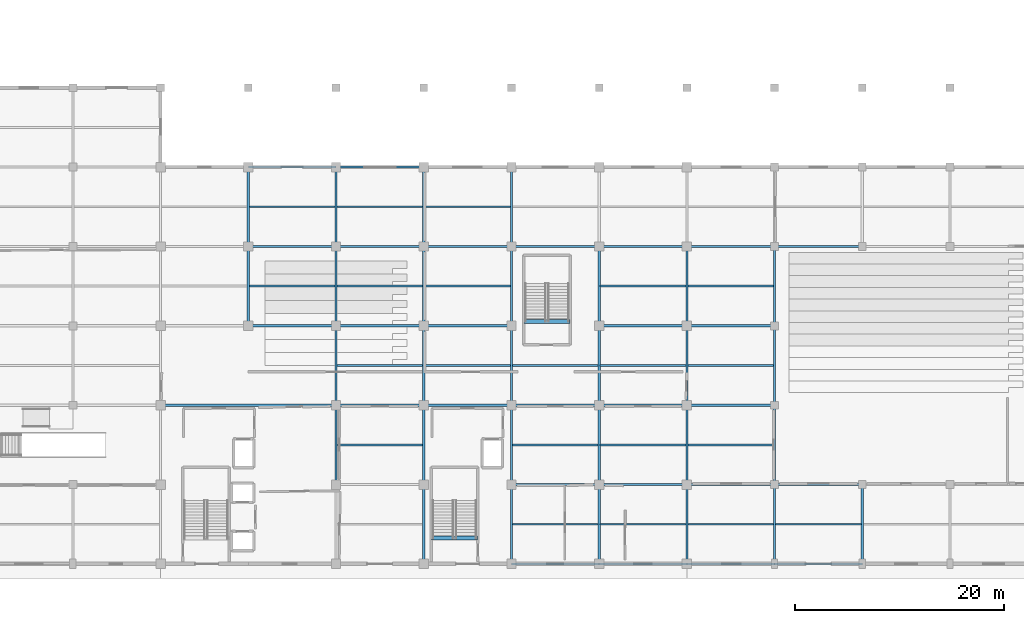
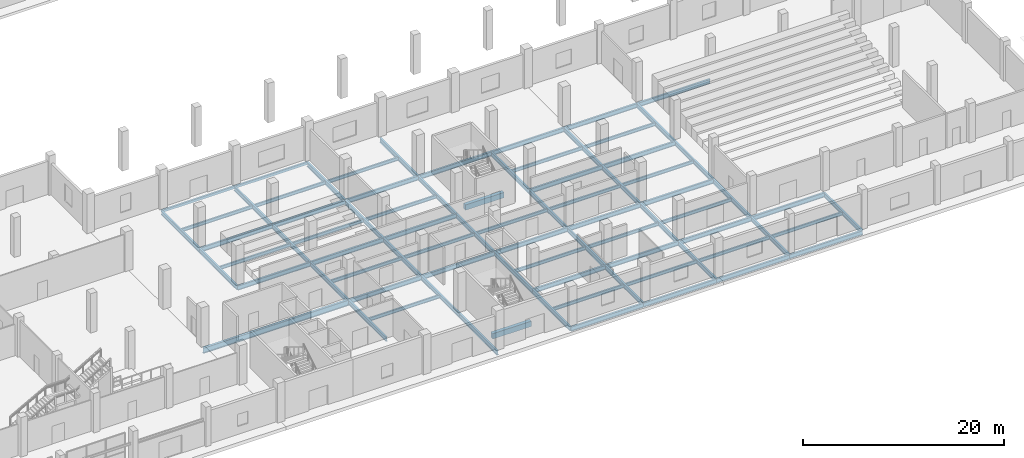
# One storey, part 7 of 36: 80 beams.
"""IFC4 building model written with IfcOpenShell, lengths in metres."""

from ifc_helpers import new_model, si_unit, direction, frame, origin, origin_2d, place, context, subcontext, project, spatial, rectangle, hollow_rectangle, i_section, extrude, material, material_profile, profile_set, type_object, element, save


model = new_model("IFC4")

# Units and contexts
model_context = context("Model", 3, precision=1e-05, world=origin(), true_north=direction((0.0, 1.0)))
body_context = subcontext(model_context, "Body", "Model", "MODEL_VIEW")
ifc_project = project(units=[si_unit("LENGTHUNIT", "METRE"), si_unit("AREAUNIT", "SQUARE_METRE"), si_unit("VOLUMEUNIT", "CUBIC_METRE"), si_unit("PLANEANGLEUNIT", "RADIAN"), si_unit("MASSUNIT", "GRAM", prefix="KILO")], contexts=[model_context])

# Site, building, storey
site_placement = place(None, origin())
site = spatial("IfcSite", under=ifc_project, at=site_placement, CompositionType="ELEMENT")
building_placement = place(site_placement, origin())
building = spatial("IfcBuilding", under=site, at=building_placement, Name="Zuvorla Pavilion Media Centre", CompositionType="ELEMENT")
storey_placement = place(building_placement, origin())
storey = spatial("IfcBuildingStorey", under=building, at=storey_placement, Name="L00", CompositionType="ELEMENT", Elevation=0.0)

# Beams
ifc_material_1 = material(Name="Concrete C40/50", Category="concrete")
ifc_material_profile_1 = material_profile(ifc_material_1, rectangle(XDim=0.39990234375, YDim=0.64990234375, at=origin_2d()), Name="RC 400x650")
ifc_profile_set_1 = profile_set([ifc_material_profile_1], Name="Concrete C40/50")
beam_type_1 = type_object("IfcBeamType", Name="BM-RC-650", PredefinedType="BEAM", material=ifc_profile_set_1)
for number, where, z_axis, x_axis, name in (
    (1, (92.72998046875, 8.469970703125, -0.323974609375), (1.0, 0.0, 0.0), (0.0, 1.0, 0.0), "L00 ST-02 landing trimmer beam"),
    (2, (101.580078125, 29.219970703125, -0.323974609375), (1.0, 0.0, 0.0), (0.0, 1.0, 0.0), "L00 ST-04 landing trimmer beam"),
):
    element("IfcBeam", number, at=place(storey_placement, frame(where, z_axis=z_axis, x_axis=x_axis)), inside=storey, type_object=beam_type_1, Name=name, PredefinedType="BEAM", context=body_context, shape_type="SweptSolid", body=[
        extrude(rectangle(XDim=0.39990234375, YDim=0.64990234375, at=origin_2d()), origin(), (0.0, 0.0, 1.0), 4.43994140625),
    ])
ifc_material_2 = material(Name="Steel S355", Category="steel")
ifc_material_profile_2 = material_profile(ifc_material_2, hollow_rectangle(XDim=0.199951171875, YDim=0.300048828125, WallThickness=0.012451171875, at=origin_2d()), Name="RHS 300x200x12.5")
ifc_profile_set_2 = profile_set([ifc_material_profile_2], Name="Steel S355")
beam_type_2 = type_object("IfcBeamType", Name="BM-SP-RHS300", PredefinedType="SPANDREL", material=ifc_profile_set_2)
beam_1_placement = place(storey_placement, frame((75.199951171875, 44.0, -0.577880859375), z_axis=(1.0, 0.0, 0.0), x_axis=(0.0, 1.0, 0.0)))
element("IfcBeam", 3, at=beam_1_placement, inside=storey, type_object=beam_type_2, Name="L00 spandrel SP01 82", PredefinedType="SPANDREL", context=body_context, shape_type="SweptSolid", body=[
    extrude(hollow_rectangle(XDim=0.199951171875, YDim=0.300048828125, WallThickness=0.012451171875, at=origin_2d()), origin(), (0.0, 0.0, 1.0), 8.400146484375),
])
beam_2_placement = place(storey_placement, frame((83.60009765625, 44.0, -0.577880859375), z_axis=(1.0, 0.0, 0.0), x_axis=(0.0, 1.0, 0.0)))
element("IfcBeam", 4, at=beam_2_placement, inside=storey, type_object=beam_type_2, Name="L00 spandrel SP01 83", PredefinedType="SPANDREL", context=body_context, shape_type="SweptSolid", body=[
    extrude(hollow_rectangle(XDim=0.199951171875, YDim=0.300048828125, WallThickness=0.012451171875, at=origin_2d()), origin(), (0.0, 0.0, 1.0), 8.39990234375),
])
ifc_material_profile_3 = material_profile(ifc_material_2, i_section(OverallWidth=0.1787109375, OverallDepth=0.409423828125, WebThickness=0.0087890625, FlangeThickness=0.014404296875, FilletRadius=0.01025390625, at=origin_2d()), Name="UB 406x178x67")
ifc_profile_set_3 = profile_set([ifc_material_profile_3], Name="Steel S355")
beam_type_3 = type_object("IfcBeamType", Name="BM-UB406", PredefinedType="JOIST", material=ifc_profile_set_3)
for number, where, z_axis, x_axis, name in (
    (5, (75.300048828125, 32.60009765625, -0.6328125), (1.0, 0.0, 0.0), (0.0, 1.0, 0.0), "L00 joist J02 370"),
    (6, (75.300048828125, 40.199951171875, -0.6328125), (1.0, 0.0, 0.0), (0.0, 1.0, 0.0), "L00 joist J02 371"),
    (7, (83.699951171875, 17.39990234375, -0.6328125), (1.0, 0.0, 0.0), (0.0, 1.0, 0.0), "L00 joist J02 375"),
    (8, (83.699951171875, 25.0, -0.6328125), (1.0, 0.0, 0.0), (0.0, 1.0, 0.0), "L00 joist J02 376"),
    (9, (83.699951171875, 32.60009765625, -0.6328125), (1.0, 0.0, 0.0), (0.0, 1.0, 0.0), "L00 joist J02 377"),
    (10, (83.699951171875, 40.199951171875, -0.6328125), (1.0, 0.0, 0.0), (0.0, 1.0, 0.0), "L00 joist J02 378"),
    (11, (92.10009765625, 25.0, -0.6328125), (1.0, 0.0, 0.0), (0.0, 1.0, 0.0), "L00 joist J02 381"),
    (12, (92.10009765625, 32.60009765625, -0.6328125), (1.0, 0.0, 0.0), (0.0, 1.0, 0.0), "L00 joist J02 382"),
    (13, (92.10009765625, 40.199951171875, -0.6328125), (1.0, 0.0, 0.0), (0.0, 1.0, 0.0), "L00 joist J02 383"),
    (14, (100.5, 9.800048828125, -0.6328125), (1.0, 0.0, 0.0), (0.0, 1.0, 0.0), "L00 joist J02 388"),
    (15, (100.5, 17.39990234375, -0.6328125), (1.0, 0.0, 0.0), (0.0, 1.0, 0.0), "L00 joist J02 389"),
    (16, (100.5, 25.0, -0.6328125), (1.0, 0.0, 0.0), (0.0, 1.0, 0.0), "L00 joist J02 390"),
):
    element("IfcBeam", number, at=place(storey_placement, frame(where, z_axis=z_axis, x_axis=x_axis)), inside=storey, type_object=beam_type_3, Name=name, PredefinedType="JOIST", context=body_context, shape_type="SweptSolid", body=[
        extrude(i_section(OverallWidth=0.1787109375, OverallDepth=0.409423828125, WebThickness=0.0087890625, FlangeThickness=0.014404296875, FilletRadius=0.01025390625, at=origin_2d()), origin(), (0.0, 0.0, 1.0), 8.199951171875),
    ])
for number, where, z_axis, x_axis, name in (
    (17, (108.89990234375, 9.800048828125, -0.6328125), (1.0, 0.0, 0.0), (0.0, 1.0, 0.0), "L00 joist J02 397"),
    (18, (108.89990234375, 17.39990234375, -0.6328125), (1.0, 0.0, 0.0), (0.0, 1.0, 0.0), "L00 joist J02 398"),
    (19, (108.89990234375, 25.0, -0.6328125), (1.0, 0.0, 0.0), (0.0, 1.0, 0.0), "L00 joist J02 399"),
    (20, (108.89990234375, 32.60009765625, -0.6328125), (1.0, 0.0, 0.0), (0.0, 1.0, 0.0), "L00 joist J02 400"),
):
    element("IfcBeam", number, at=place(storey_placement, frame(where, z_axis=z_axis, x_axis=x_axis)), inside=storey, type_object=beam_type_3, Name=name, PredefinedType="JOIST", context=body_context, shape_type="SweptSolid", body=[
        extrude(i_section(OverallWidth=0.1787109375, OverallDepth=0.409423828125, WebThickness=0.0087890625, FlangeThickness=0.014404296875, FilletRadius=0.01025390625, at=origin_2d()), origin(), (0.0, 0.0, 1.0), 8.2001953125),
    ])
for number, where, z_axis, x_axis, name in (
    (21, (117.300048828125, 9.800048828125, -0.6328125), (1.0, 0.0, 0.0), (0.0, 1.0, 0.0), "L00 joist J02 404"),
    (22, (117.300048828125, 17.39990234375, -0.6328125), (1.0, 0.0, 0.0), (0.0, 1.0, 0.0), "L00 joist J02 405"),
    (23, (117.300048828125, 25.0, -0.6328125), (1.0, 0.0, 0.0), (0.0, 1.0, 0.0), "L00 joist J02 406"),
    (24, (117.300048828125, 32.60009765625, -0.6328125), (1.0, 0.0, 0.0), (0.0, 1.0, 0.0), "L00 joist J02 407"),
    (25, (125.699951171875, 9.800048828125, -0.6328125), (1.0, 0.0, 0.0), (0.0, 1.0, 0.0), "L00 joist J02 411"),
):
    element("IfcBeam", number, at=place(storey_placement, frame(where, z_axis=z_axis, x_axis=x_axis)), inside=storey, type_object=beam_type_3, Name=name, PredefinedType="JOIST", context=body_context, shape_type="SweptSolid", body=[
        extrude(i_section(OverallWidth=0.1787109375, OverallDepth=0.409423828125, WebThickness=0.0087890625, FlangeThickness=0.014404296875, FilletRadius=0.01025390625, at=origin_2d()), origin(), (0.0, 0.0, 1.0), 8.199951171875),
    ])
ifc_material_profile_4 = material_profile(ifc_material_2, i_section(OverallWidth=0.2099609375, OverallDepth=0.53662109375, WebThickness=0.0107421875, FlangeThickness=0.017333984375, FilletRadius=0.0126953125, at=origin_2d()), Name="UB 533x210x101")
ifc_profile_set_4 = profile_set([ifc_material_profile_4], Name="Steel S355")
beam_type_4 = type_object("IfcBeamType", Name="BM-UB533", PredefinedType="BEAM", material=ifc_profile_set_4)
beam_3_placement = place(storey_placement, frame((100.39990234375, 6.0, -0.6962890625), z_axis=(1.0, 0.0, 0.0), x_axis=(0.0, 1.0, 0.0)))
element("IfcBeam", 26, at=beam_3_placement, inside=storey, type_object=beam_type_4, Name="L00 beam B08 9", PredefinedType="BEAM", context=body_context, shape_type="SweptSolid", body=[
    extrude(i_section(OverallWidth=0.2099609375, OverallDepth=0.53662109375, WebThickness=0.0107421875, FlangeThickness=0.017333984375, FilletRadius=0.0126953125, at=origin_2d()), origin(), (0.0, 0.0, 1.0), 8.400146484375),
])
beam_4_placement = place(storey_placement, frame((108.800048828125, 6.0, -0.6962890625), z_axis=(1.0, 0.0, 0.0), x_axis=(0.0, 1.0, 0.0)))
element("IfcBeam", 27, at=beam_4_placement, inside=storey, type_object=beam_type_4, Name="L00 beam B08 10", PredefinedType="BEAM", context=body_context, shape_type="SweptSolid", body=[
    extrude(i_section(OverallWidth=0.2099609375, OverallDepth=0.53662109375, WebThickness=0.0107421875, FlangeThickness=0.017333984375, FilletRadius=0.0126953125, at=origin_2d()), origin(), (0.0, 0.0, 1.0), 8.39990234375),
])
beam_5_placement = place(storey_placement, frame((117.199951171875, 6.0, -0.6962890625), z_axis=(1.0, 0.0, 0.0), x_axis=(0.0, 1.0, 0.0)))
element("IfcBeam", 28, at=beam_5_placement, inside=storey, type_object=beam_type_4, Name="L00 beam B08 11", PredefinedType="BEAM", context=body_context, shape_type="SweptSolid", body=[
    extrude(i_section(OverallWidth=0.2099609375, OverallDepth=0.53662109375, WebThickness=0.0107421875, FlangeThickness=0.017333984375, FilletRadius=0.0126953125, at=origin_2d()), origin(), (0.0, 0.0, 1.0), 8.400146484375),
])
beam_6_placement = place(storey_placement, frame((125.60009765625, 6.0, -0.6962890625), z_axis=(1.0, 0.0, 0.0), x_axis=(0.0, 1.0, 0.0)))
element("IfcBeam", 29, at=beam_6_placement, inside=storey, type_object=beam_type_4, Name="L00 beam B08 12", PredefinedType="BEAM", context=body_context, shape_type="SweptSolid", body=[
    extrude(i_section(OverallWidth=0.2099609375, OverallDepth=0.53662109375, WebThickness=0.0107421875, FlangeThickness=0.017333984375, FilletRadius=0.0126953125, at=origin_2d()), origin(), (0.0, 0.0, 1.0), 8.39990234375),
])
beam_7_placement = place(storey_placement, frame((100.39990234375, 13.60009765625, -0.6962890625), z_axis=(1.0, 0.0, 0.0), x_axis=(0.0, 1.0, 0.0)))
element("IfcBeam", 30, at=beam_7_placement, inside=storey, type_object=beam_type_4, Name="L00 beam B08 26", PredefinedType="BEAM", context=body_context, shape_type="SweptSolid", body=[
    extrude(i_section(OverallWidth=0.2099609375, OverallDepth=0.53662109375, WebThickness=0.0107421875, FlangeThickness=0.017333984375, FilletRadius=0.0126953125, at=origin_2d()), origin(), (0.0, 0.0, 1.0), 8.400146484375),
])
beam_8_placement = place(storey_placement, frame((108.800048828125, 13.60009765625, -0.6962890625), z_axis=(1.0, 0.0, 0.0), x_axis=(0.0, 1.0, 0.0)))
element("IfcBeam", 31, at=beam_8_placement, inside=storey, type_object=beam_type_4, Name="L00 beam B08 27", PredefinedType="BEAM", context=body_context, shape_type="SweptSolid", body=[
    extrude(i_section(OverallWidth=0.2099609375, OverallDepth=0.53662109375, WebThickness=0.0107421875, FlangeThickness=0.017333984375, FilletRadius=0.0126953125, at=origin_2d()), origin(), (0.0, 0.0, 1.0), 8.39990234375),
])
beam_9_placement = place(storey_placement, frame((117.199951171875, 13.60009765625, -0.6962890625), z_axis=(1.0, 0.0, 0.0), x_axis=(0.0, 1.0, 0.0)))
element("IfcBeam", 32, at=beam_9_placement, inside=storey, type_object=beam_type_4, Name="L00 beam B08 28", PredefinedType="BEAM", context=body_context, shape_type="SweptSolid", body=[
    extrude(i_section(OverallWidth=0.2099609375, OverallDepth=0.53662109375, WebThickness=0.0107421875, FlangeThickness=0.017333984375, FilletRadius=0.0126953125, at=origin_2d()), origin(), (0.0, 0.0, 1.0), 8.400146484375),
])
for number, where, z_axis, x_axis, name in (
    (33, (125.60009765625, 13.60009765625, -0.6962890625), (1.0, 0.0, 0.0), (0.0, 1.0, 0.0), "L00 beam B08 29"),
    (34, (83.60009765625, 21.199951171875, -0.6962890625), (1.0, 0.0, 0.0), (0.0, 1.0, 0.0), "L00 beam B08 43"),
    (35, (92.0, 21.199951171875, -0.6962890625), (1.0, 0.0, 0.0), (0.0, 1.0, 0.0), "L00 beam B08 44"),
):
    element("IfcBeam", number, at=place(storey_placement, frame(where, z_axis=z_axis, x_axis=x_axis)), inside=storey, type_object=beam_type_4, Name=name, PredefinedType="BEAM", context=body_context, shape_type="SweptSolid", body=[
        extrude(i_section(OverallWidth=0.2099609375, OverallDepth=0.53662109375, WebThickness=0.0107421875, FlangeThickness=0.017333984375, FilletRadius=0.0126953125, at=origin_2d()), origin(), (0.0, 0.0, 1.0), 8.39990234375),
    ])
beam_10_placement = place(storey_placement, frame((100.39990234375, 21.199951171875, -0.6962890625), z_axis=(1.0, 0.0, 0.0), x_axis=(0.0, 1.0, 0.0)))
element("IfcBeam", 36, at=beam_10_placement, inside=storey, type_object=beam_type_4, Name="L00 beam B08 45", PredefinedType="BEAM", context=body_context, shape_type="SweptSolid", body=[
    extrude(i_section(OverallWidth=0.2099609375, OverallDepth=0.53662109375, WebThickness=0.0107421875, FlangeThickness=0.017333984375, FilletRadius=0.0126953125, at=origin_2d()), origin(), (0.0, 0.0, 1.0), 8.400146484375),
])
beam_11_placement = place(storey_placement, frame((108.800048828125, 21.199951171875, -0.6962890625), z_axis=(1.0, 0.0, 0.0), x_axis=(0.0, 1.0, 0.0)))
element("IfcBeam", 37, at=beam_11_placement, inside=storey, type_object=beam_type_4, Name="L00 beam B08 46", PredefinedType="BEAM", context=body_context, shape_type="SweptSolid", body=[
    extrude(i_section(OverallWidth=0.2099609375, OverallDepth=0.53662109375, WebThickness=0.0107421875, FlangeThickness=0.017333984375, FilletRadius=0.0126953125, at=origin_2d()), origin(), (0.0, 0.0, 1.0), 8.39990234375),
])
for number, where, z_axis, x_axis, name in (
    (38, (117.199951171875, 21.199951171875, -0.6962890625), (1.0, 0.0, 0.0), (0.0, 1.0, 0.0), "L00 beam B08 47"),
    (39, (75.199951171875, 28.800048828125, -0.6962890625), (1.0, 0.0, 0.0), (0.0, 1.0, 0.0), "L00 beam B08 57"),
):
    element("IfcBeam", number, at=place(storey_placement, frame(where, z_axis=z_axis, x_axis=x_axis)), inside=storey, type_object=beam_type_4, Name=name, PredefinedType="BEAM", context=body_context, shape_type="SweptSolid", body=[
        extrude(i_section(OverallWidth=0.2099609375, OverallDepth=0.53662109375, WebThickness=0.0107421875, FlangeThickness=0.017333984375, FilletRadius=0.0126953125, at=origin_2d()), origin(), (0.0, 0.0, 1.0), 8.400146484375),
    ])
for number, where, z_axis, x_axis, name in (
    (40, (83.60009765625, 28.800048828125, -0.6962890625), (1.0, 0.0, 0.0), (0.0, 1.0, 0.0), "L00 beam B08 58"),
    (41, (92.0, 28.800048828125, -0.6962890625), (1.0, 0.0, 0.0), (0.0, 1.0, 0.0), "L00 beam B08 59"),
    (42, (108.800048828125, 28.800048828125, -0.6962890625), (1.0, 0.0, 0.0), (0.0, 1.0, 0.0), "L00 beam B08 60"),
):
    element("IfcBeam", number, at=place(storey_placement, frame(where, z_axis=z_axis, x_axis=x_axis)), inside=storey, type_object=beam_type_4, Name=name, PredefinedType="BEAM", context=body_context, shape_type="SweptSolid", body=[
        extrude(i_section(OverallWidth=0.2099609375, OverallDepth=0.53662109375, WebThickness=0.0107421875, FlangeThickness=0.017333984375, FilletRadius=0.0126953125, at=origin_2d()), origin(), (0.0, 0.0, 1.0), 8.39990234375),
    ])
for number, where, z_axis, x_axis, name in (
    (43, (117.199951171875, 28.800048828125, -0.6962890625), (1.0, 0.0, 0.0), (0.0, 1.0, 0.0), "L00 beam B08 61"),
    (44, (75.199951171875, 36.39990234375, -0.6962890625), (1.0, 0.0, 0.0), (0.0, 1.0, 0.0), "L00 beam B08 68"),
):
    element("IfcBeam", number, at=place(storey_placement, frame(where, z_axis=z_axis, x_axis=x_axis)), inside=storey, type_object=beam_type_4, Name=name, PredefinedType="BEAM", context=body_context, shape_type="SweptSolid", body=[
        extrude(i_section(OverallWidth=0.2099609375, OverallDepth=0.53662109375, WebThickness=0.0107421875, FlangeThickness=0.017333984375, FilletRadius=0.0126953125, at=origin_2d()), origin(), (0.0, 0.0, 1.0), 8.400146484375),
    ])
for number, where, z_axis, x_axis, name in (
    (45, (83.60009765625, 36.39990234375, -0.6962890625), (1.0, 0.0, 0.0), (0.0, 1.0, 0.0), "L00 beam B08 69"),
    (46, (92.0, 36.39990234375, -0.6962890625), (1.0, 0.0, 0.0), (0.0, 1.0, 0.0), "L00 beam B08 70"),
):
    element("IfcBeam", number, at=place(storey_placement, frame(where, z_axis=z_axis, x_axis=x_axis)), inside=storey, type_object=beam_type_4, Name=name, PredefinedType="BEAM", context=body_context, shape_type="SweptSolid", body=[
        extrude(i_section(OverallWidth=0.2099609375, OverallDepth=0.53662109375, WebThickness=0.0107421875, FlangeThickness=0.017333984375, FilletRadius=0.0126953125, at=origin_2d()), origin(), (0.0, 0.0, 1.0), 8.39990234375),
    ])
beam_12_placement = place(storey_placement, frame((100.39990234375, 36.39990234375, -0.6962890625), z_axis=(1.0, 0.0, 0.0), x_axis=(0.0, 1.0, 0.0)))
element("IfcBeam", 47, at=beam_12_placement, inside=storey, type_object=beam_type_4, Name="L00 beam B08 71", PredefinedType="BEAM", context=body_context, shape_type="SweptSolid", body=[
    extrude(i_section(OverallWidth=0.2099609375, OverallDepth=0.53662109375, WebThickness=0.0107421875, FlangeThickness=0.017333984375, FilletRadius=0.0126953125, at=origin_2d()), origin(), (0.0, 0.0, 1.0), 8.400146484375),
])
beam_13_placement = place(storey_placement, frame((108.800048828125, 36.39990234375, -0.6962890625), z_axis=(1.0, 0.0, 0.0), x_axis=(0.0, 1.0, 0.0)))
element("IfcBeam", 48, at=beam_13_placement, inside=storey, type_object=beam_type_4, Name="L00 beam B08 72", PredefinedType="BEAM", context=body_context, shape_type="SweptSolid", body=[
    extrude(i_section(OverallWidth=0.2099609375, OverallDepth=0.53662109375, WebThickness=0.0107421875, FlangeThickness=0.017333984375, FilletRadius=0.0126953125, at=origin_2d()), origin(), (0.0, 0.0, 1.0), 8.39990234375),
])
beam_14_placement = place(storey_placement, frame((117.199951171875, 36.39990234375, -0.6962890625), z_axis=(1.0, 0.0, 0.0), x_axis=(0.0, 1.0, 0.0)))
element("IfcBeam", 49, at=beam_14_placement, inside=storey, type_object=beam_type_4, Name="L00 beam B08 73", PredefinedType="BEAM", context=body_context, shape_type="SweptSolid", body=[
    extrude(i_section(OverallWidth=0.2099609375, OverallDepth=0.53662109375, WebThickness=0.0107421875, FlangeThickness=0.017333984375, FilletRadius=0.0126953125, at=origin_2d()), origin(), (0.0, 0.0, 1.0), 8.400146484375),
])
beam_15_placement = place(storey_placement, frame((125.60009765625, 36.39990234375, -0.6962890625), z_axis=(1.0, 0.0, 0.0), x_axis=(0.0, 1.0, 0.0)))
element("IfcBeam", 50, at=beam_15_placement, inside=storey, type_object=beam_type_4, Name="L00 beam B08 74", PredefinedType="BEAM", context=body_context, shape_type="SweptSolid", body=[
    extrude(i_section(OverallWidth=0.2099609375, OverallDepth=0.53662109375, WebThickness=0.0107421875, FlangeThickness=0.017333984375, FilletRadius=0.0126953125, at=origin_2d()), origin(), (0.0, 0.0, 1.0), 8.39990234375),
])
beam_16_placement = place(storey_placement, frame((75.199951171875, 28.800048828125, -0.6962890625), z_axis=(0.0, 1.0, 0.0), x_axis=(-1.0, 0.0, 0.0)))
element("IfcBeam", 51, at=beam_16_placement, inside=storey, type_object=beam_type_4, Name="L00 beam B08 233", PredefinedType="BEAM", context=body_context, shape_type="SweptSolid", body=[
    extrude(i_section(OverallWidth=0.2099609375, OverallDepth=0.53662109375, WebThickness=0.0107421875, FlangeThickness=0.017333984375, FilletRadius=0.0126953125, at=origin_2d()), origin(), (0.0, 0.0, 1.0), 7.599853515625),
])
beam_17_placement = place(storey_placement, frame((75.199951171875, 36.39990234375, -0.6962890625), z_axis=(0.0, 1.0, 0.0), x_axis=(-1.0, 0.0, 0.0)))
element("IfcBeam", 52, at=beam_17_placement, inside=storey, type_object=beam_type_4, Name="L00 beam B08 234", PredefinedType="BEAM", context=body_context, shape_type="SweptSolid", body=[
    extrude(i_section(OverallWidth=0.2099609375, OverallDepth=0.53662109375, WebThickness=0.0107421875, FlangeThickness=0.017333984375, FilletRadius=0.0126953125, at=origin_2d()), origin(), (0.0, 0.0, 1.0), 7.60009765625),
])
beam_18_placement = place(storey_placement, frame((83.60009765625, 13.60009765625, -0.6962890625), z_axis=(0.0, 1.0, 0.0), x_axis=(-1.0, 0.0, 0.0)))
element("IfcBeam", 53, at=beam_18_placement, inside=storey, type_object=beam_type_4, Name="L00 beam B08 241", PredefinedType="BEAM", context=body_context, shape_type="SweptSolid", body=[
    extrude(i_section(OverallWidth=0.2099609375, OverallDepth=0.53662109375, WebThickness=0.0107421875, FlangeThickness=0.017333984375, FilletRadius=0.0126953125, at=origin_2d()), origin(), (0.0, 0.0, 1.0), 7.599853515625),
])
beam_19_placement = place(storey_placement, frame((83.60009765625, 21.199951171875, -0.6962890625), z_axis=(0.0, 1.0, 0.0), x_axis=(-1.0, 0.0, 0.0)))
element("IfcBeam", 54, at=beam_19_placement, inside=storey, type_object=beam_type_4, Name="L00 beam B08 242", PredefinedType="BEAM", context=body_context, shape_type="SweptSolid", body=[
    extrude(i_section(OverallWidth=0.2099609375, OverallDepth=0.53662109375, WebThickness=0.0107421875, FlangeThickness=0.017333984375, FilletRadius=0.0126953125, at=origin_2d()), origin(), (0.0, 0.0, 1.0), 7.60009765625),
])
beam_20_placement = place(storey_placement, frame((83.60009765625, 28.800048828125, -0.6962890625), z_axis=(0.0, 1.0, 0.0), x_axis=(-1.0, 0.0, 0.0)))
element("IfcBeam", 55, at=beam_20_placement, inside=storey, type_object=beam_type_4, Name="L00 beam B08 243", PredefinedType="BEAM", context=body_context, shape_type="SweptSolid", body=[
    extrude(i_section(OverallWidth=0.2099609375, OverallDepth=0.53662109375, WebThickness=0.0107421875, FlangeThickness=0.017333984375, FilletRadius=0.0126953125, at=origin_2d()), origin(), (0.0, 0.0, 1.0), 7.599853515625),
])
for number, where, z_axis, x_axis, name in (
    (56, (83.60009765625, 36.39990234375, -0.6962890625), (0.0, 1.0, 0.0), (-1.0, 0.0, 0.0), "L00 beam B08 244"),
    (57, (92.0, 6.0, -0.6962890625), (0.0, 1.0, 0.0), (-1.0, 0.0, 0.0), "L00 beam B08 247"),
):
    element("IfcBeam", number, at=place(storey_placement, frame(where, z_axis=z_axis, x_axis=x_axis)), inside=storey, type_object=beam_type_4, Name=name, PredefinedType="BEAM", context=body_context, shape_type="SweptSolid", body=[
        extrude(i_section(OverallWidth=0.2099609375, OverallDepth=0.53662109375, WebThickness=0.0107421875, FlangeThickness=0.017333984375, FilletRadius=0.0126953125, at=origin_2d()), origin(), (0.0, 0.0, 1.0), 7.60009765625),
    ])
beam_21_placement = place(storey_placement, frame((92.0, 13.60009765625, -0.6962890625), z_axis=(0.0, 1.0, 0.0), x_axis=(-1.0, 0.0, 0.0)))
element("IfcBeam", 58, at=beam_21_placement, inside=storey, type_object=beam_type_4, Name="L00 beam B08 248", PredefinedType="BEAM", context=body_context, shape_type="SweptSolid", body=[
    extrude(i_section(OverallWidth=0.2099609375, OverallDepth=0.53662109375, WebThickness=0.0107421875, FlangeThickness=0.017333984375, FilletRadius=0.0126953125, at=origin_2d()), origin(), (0.0, 0.0, 1.0), 7.599853515625),
])
beam_22_placement = place(storey_placement, frame((92.0, 21.199951171875, -0.6962890625), z_axis=(0.0, 1.0, 0.0), x_axis=(-1.0, 0.0, 0.0)))
element("IfcBeam", 59, at=beam_22_placement, inside=storey, type_object=beam_type_4, Name="L00 beam B08 249", PredefinedType="BEAM", context=body_context, shape_type="SweptSolid", body=[
    extrude(i_section(OverallWidth=0.2099609375, OverallDepth=0.53662109375, WebThickness=0.0107421875, FlangeThickness=0.017333984375, FilletRadius=0.0126953125, at=origin_2d()), origin(), (0.0, 0.0, 1.0), 7.60009765625),
])
beam_23_placement = place(storey_placement, frame((92.0, 28.800048828125, -0.6962890625), z_axis=(0.0, 1.0, 0.0), x_axis=(-1.0, 0.0, 0.0)))
element("IfcBeam", 60, at=beam_23_placement, inside=storey, type_object=beam_type_4, Name="L00 beam B08 250", PredefinedType="BEAM", context=body_context, shape_type="SweptSolid", body=[
    extrude(i_section(OverallWidth=0.2099609375, OverallDepth=0.53662109375, WebThickness=0.0107421875, FlangeThickness=0.017333984375, FilletRadius=0.0126953125, at=origin_2d()), origin(), (0.0, 0.0, 1.0), 7.599853515625),
])
for number, where, z_axis, x_axis, name in (
    (61, (92.0, 36.39990234375, -0.6962890625), (0.0, 1.0, 0.0), (-1.0, 0.0, 0.0), "L00 beam B08 251"),
    (62, (100.39990234375, 6.0, -0.6962890625), (0.0, 1.0, 0.0), (-1.0, 0.0, 0.0), "L00 beam B08 257"),
):
    element("IfcBeam", number, at=place(storey_placement, frame(where, z_axis=z_axis, x_axis=x_axis)), inside=storey, type_object=beam_type_4, Name=name, PredefinedType="BEAM", context=body_context, shape_type="SweptSolid", body=[
        extrude(i_section(OverallWidth=0.2099609375, OverallDepth=0.53662109375, WebThickness=0.0107421875, FlangeThickness=0.017333984375, FilletRadius=0.0126953125, at=origin_2d()), origin(), (0.0, 0.0, 1.0), 7.60009765625),
    ])
beam_24_placement = place(storey_placement, frame((100.39990234375, 13.60009765625, -0.6962890625), z_axis=(0.0, 1.0, 0.0), x_axis=(-1.0, 0.0, 0.0)))
element("IfcBeam", 63, at=beam_24_placement, inside=storey, type_object=beam_type_4, Name="L00 beam B08 258", PredefinedType="BEAM", context=body_context, shape_type="SweptSolid", body=[
    extrude(i_section(OverallWidth=0.2099609375, OverallDepth=0.53662109375, WebThickness=0.0107421875, FlangeThickness=0.017333984375, FilletRadius=0.0126953125, at=origin_2d()), origin(), (0.0, 0.0, 1.0), 7.599853515625),
])
beam_25_placement = place(storey_placement, frame((100.39990234375, 21.199951171875, -0.6962890625), z_axis=(0.0, 1.0, 0.0), x_axis=(-1.0, 0.0, 0.0)))
element("IfcBeam", 64, at=beam_25_placement, inside=storey, type_object=beam_type_4, Name="L00 beam B08 259", PredefinedType="BEAM", context=body_context, shape_type="SweptSolid", body=[
    extrude(i_section(OverallWidth=0.2099609375, OverallDepth=0.53662109375, WebThickness=0.0107421875, FlangeThickness=0.017333984375, FilletRadius=0.0126953125, at=origin_2d()), origin(), (0.0, 0.0, 1.0), 7.60009765625),
])
beam_26_placement = place(storey_placement, frame((100.39990234375, 28.800048828125, -0.6962890625), z_axis=(0.0, 1.0, 0.0), x_axis=(-1.0, 0.0, 0.0)))
element("IfcBeam", 65, at=beam_26_placement, inside=storey, type_object=beam_type_4, Name="L00 beam B08 260", PredefinedType="BEAM", context=body_context, shape_type="SweptSolid", body=[
    extrude(i_section(OverallWidth=0.2099609375, OverallDepth=0.53662109375, WebThickness=0.0107421875, FlangeThickness=0.017333984375, FilletRadius=0.0126953125, at=origin_2d()), origin(), (0.0, 0.0, 1.0), 7.599853515625),
])
for number, where, z_axis, x_axis, name in (
    (66, (100.39990234375, 36.39990234375, -0.6962890625), (0.0, 1.0, 0.0), (-1.0, 0.0, 0.0), "L00 beam B08 261"),
    (67, (108.800048828125, 6.0, -0.6962890625), (0.0, 1.0, 0.0), (-1.0, 0.0, 0.0), "L00 beam B08 267"),
):
    element("IfcBeam", number, at=place(storey_placement, frame(where, z_axis=z_axis, x_axis=x_axis)), inside=storey, type_object=beam_type_4, Name=name, PredefinedType="BEAM", context=body_context, shape_type="SweptSolid", body=[
        extrude(i_section(OverallWidth=0.2099609375, OverallDepth=0.53662109375, WebThickness=0.0107421875, FlangeThickness=0.017333984375, FilletRadius=0.0126953125, at=origin_2d()), origin(), (0.0, 0.0, 1.0), 7.60009765625),
    ])
beam_27_placement = place(storey_placement, frame((108.800048828125, 13.60009765625, -0.6962890625), z_axis=(0.0, 1.0, 0.0), x_axis=(-1.0, 0.0, 0.0)))
element("IfcBeam", 68, at=beam_27_placement, inside=storey, type_object=beam_type_4, Name="L00 beam B08 268", PredefinedType="BEAM", context=body_context, shape_type="SweptSolid", body=[
    extrude(i_section(OverallWidth=0.2099609375, OverallDepth=0.53662109375, WebThickness=0.0107421875, FlangeThickness=0.017333984375, FilletRadius=0.0126953125, at=origin_2d()), origin(), (0.0, 0.0, 1.0), 7.599853515625),
])
beam_28_placement = place(storey_placement, frame((108.800048828125, 21.199951171875, -0.6962890625), z_axis=(0.0, 1.0, 0.0), x_axis=(-1.0, 0.0, 0.0)))
element("IfcBeam", 69, at=beam_28_placement, inside=storey, type_object=beam_type_4, Name="L00 beam B08 269", PredefinedType="BEAM", context=body_context, shape_type="SweptSolid", body=[
    extrude(i_section(OverallWidth=0.2099609375, OverallDepth=0.53662109375, WebThickness=0.0107421875, FlangeThickness=0.017333984375, FilletRadius=0.0126953125, at=origin_2d()), origin(), (0.0, 0.0, 1.0), 7.60009765625),
])
beam_29_placement = place(storey_placement, frame((108.800048828125, 28.800048828125, -0.6962890625), z_axis=(0.0, 1.0, 0.0), x_axis=(-1.0, 0.0, 0.0)))
element("IfcBeam", 70, at=beam_29_placement, inside=storey, type_object=beam_type_4, Name="L00 beam B08 270", PredefinedType="BEAM", context=body_context, shape_type="SweptSolid", body=[
    extrude(i_section(OverallWidth=0.2099609375, OverallDepth=0.53662109375, WebThickness=0.0107421875, FlangeThickness=0.017333984375, FilletRadius=0.0126953125, at=origin_2d()), origin(), (0.0, 0.0, 1.0), 7.599853515625),
])
beam_30_placement = place(storey_placement, frame((117.199951171875, 6.0, -0.6962890625), z_axis=(0.0, 1.0, 0.0), x_axis=(-1.0, 0.0, 0.0)))
element("IfcBeam", 71, at=beam_30_placement, inside=storey, type_object=beam_type_4, Name="L00 beam B08 277", PredefinedType="BEAM", context=body_context, shape_type="SweptSolid", body=[
    extrude(i_section(OverallWidth=0.2099609375, OverallDepth=0.53662109375, WebThickness=0.0107421875, FlangeThickness=0.017333984375, FilletRadius=0.0126953125, at=origin_2d()), origin(), (0.0, 0.0, 1.0), 7.60009765625),
])
beam_31_placement = place(storey_placement, frame((117.199951171875, 13.60009765625, -0.6962890625), z_axis=(0.0, 1.0, 0.0), x_axis=(-1.0, 0.0, 0.0)))
element("IfcBeam", 72, at=beam_31_placement, inside=storey, type_object=beam_type_4, Name="L00 beam B08 278", PredefinedType="BEAM", context=body_context, shape_type="SweptSolid", body=[
    extrude(i_section(OverallWidth=0.2099609375, OverallDepth=0.53662109375, WebThickness=0.0107421875, FlangeThickness=0.017333984375, FilletRadius=0.0126953125, at=origin_2d()), origin(), (0.0, 0.0, 1.0), 7.599853515625),
])
beam_32_placement = place(storey_placement, frame((117.199951171875, 21.199951171875, -0.6962890625), z_axis=(0.0, 1.0, 0.0), x_axis=(-1.0, 0.0, 0.0)))
element("IfcBeam", 73, at=beam_32_placement, inside=storey, type_object=beam_type_4, Name="L00 beam B08 279", PredefinedType="BEAM", context=body_context, shape_type="SweptSolid", body=[
    extrude(i_section(OverallWidth=0.2099609375, OverallDepth=0.53662109375, WebThickness=0.0107421875, FlangeThickness=0.017333984375, FilletRadius=0.0126953125, at=origin_2d()), origin(), (0.0, 0.0, 1.0), 7.60009765625),
])
beam_33_placement = place(storey_placement, frame((117.199951171875, 28.800048828125, -0.6962890625), z_axis=(0.0, 1.0, 0.0), x_axis=(-1.0, 0.0, 0.0)))
element("IfcBeam", 74, at=beam_33_placement, inside=storey, type_object=beam_type_4, Name="L00 beam B08 280", PredefinedType="BEAM", context=body_context, shape_type="SweptSolid", body=[
    extrude(i_section(OverallWidth=0.2099609375, OverallDepth=0.53662109375, WebThickness=0.0107421875, FlangeThickness=0.017333984375, FilletRadius=0.0126953125, at=origin_2d()), origin(), (0.0, 0.0, 1.0), 7.599853515625),
])
beam_34_placement = place(storey_placement, frame((125.60009765625, 6.0, -0.6962890625), z_axis=(0.0, 1.0, 0.0), x_axis=(-1.0, 0.0, 0.0)))
element("IfcBeam", 75, at=beam_34_placement, inside=storey, type_object=beam_type_4, Name="L00 beam B08 284", PredefinedType="BEAM", context=body_context, shape_type="SweptSolid", body=[
    extrude(i_section(OverallWidth=0.2099609375, OverallDepth=0.53662109375, WebThickness=0.0107421875, FlangeThickness=0.017333984375, FilletRadius=0.0126953125, at=origin_2d()), origin(), (0.0, 0.0, 1.0), 7.60009765625),
])
beam_35_placement = place(storey_placement, frame((125.60009765625, 13.60009765625, -0.6962890625), z_axis=(0.0, 1.0, 0.0), x_axis=(-1.0, 0.0, 0.0)))
element("IfcBeam", 76, at=beam_35_placement, inside=storey, type_object=beam_type_4, Name="L00 beam B08 285", PredefinedType="BEAM", context=body_context, shape_type="SweptSolid", body=[
    extrude(i_section(OverallWidth=0.2099609375, OverallDepth=0.53662109375, WebThickness=0.0107421875, FlangeThickness=0.017333984375, FilletRadius=0.0126953125, at=origin_2d()), origin(), (0.0, 0.0, 1.0), 7.599853515625),
])
beam_36_placement = place(storey_placement, frame((125.60009765625, 21.199951171875, -0.6962890625), z_axis=(0.0, 1.0, 0.0), x_axis=(-1.0, 0.0, 0.0)))
element("IfcBeam", 77, at=beam_36_placement, inside=storey, type_object=beam_type_4, Name="L00 beam B08 286", PredefinedType="BEAM", context=body_context, shape_type="SweptSolid", body=[
    extrude(i_section(OverallWidth=0.2099609375, OverallDepth=0.53662109375, WebThickness=0.0107421875, FlangeThickness=0.017333984375, FilletRadius=0.0126953125, at=origin_2d()), origin(), (0.0, 0.0, 1.0), 7.60009765625),
])
beam_37_placement = place(storey_placement, frame((125.60009765625, 28.800048828125, -0.6962890625), z_axis=(0.0, 1.0, 0.0), x_axis=(-1.0, 0.0, 0.0)))
element("IfcBeam", 78, at=beam_37_placement, inside=storey, type_object=beam_type_4, Name="L00 beam B08 287", PredefinedType="BEAM", context=body_context, shape_type="SweptSolid", body=[
    extrude(i_section(OverallWidth=0.2099609375, OverallDepth=0.53662109375, WebThickness=0.0107421875, FlangeThickness=0.017333984375, FilletRadius=0.0126953125, at=origin_2d()), origin(), (0.0, 0.0, 1.0), 7.599853515625),
])
beam_38_placement = place(storey_placement, frame((134.0, 6.0, -0.6962890625), z_axis=(0.0, 1.0, 0.0), x_axis=(-1.0, 0.0, 0.0)))
element("IfcBeam", 79, at=beam_38_placement, inside=storey, type_object=beam_type_4, Name="L00 beam B08 294", PredefinedType="BEAM", context=body_context, shape_type="SweptSolid", body=[
    extrude(i_section(OverallWidth=0.2099609375, OverallDepth=0.53662109375, WebThickness=0.0107421875, FlangeThickness=0.017333984375, FilletRadius=0.0126953125, at=origin_2d()), origin(), (0.0, 0.0, 1.0), 7.60009765625),
])
ifc_material_profile_5 = material_profile(ifc_material_2, i_section(OverallWidth=0.25439453125, OverallDepth=0.6875, WebThickness=0.01318359375, FlangeThickness=0.02099609375, FilletRadius=0.01513671875, at=origin_2d()), Name="UB 686x254x152")
ifc_profile_set_5 = profile_set([ifc_material_profile_5], Name="Steel S355")
beam_type_5 = type_object("IfcBeamType", Name="BM-UB686", PredefinedType="BEAM", material=ifc_profile_set_5)
beam_39_placement = place(storey_placement, frame((66.800048828125, 21.199951171875, -0.771728515625), z_axis=(1.0, 0.0, 0.0), x_axis=(0.0, 1.0, 0.0)))
element("IfcBeam", 80, at=beam_39_placement, inside=storey, type_object=beam_type_5, Name="L00 beam B06 42", PredefinedType="BEAM", context=body_context, shape_type="SweptSolid", body=[
    extrude(i_section(OverallWidth=0.25439453125, OverallDepth=0.6875, WebThickness=0.01318359375, FlangeThickness=0.02099609375, FilletRadius=0.01513671875, at=origin_2d()), origin(), (0.0, 0.0, 1.0), 16.800048828125),
])

save(model, "model.ifc")
